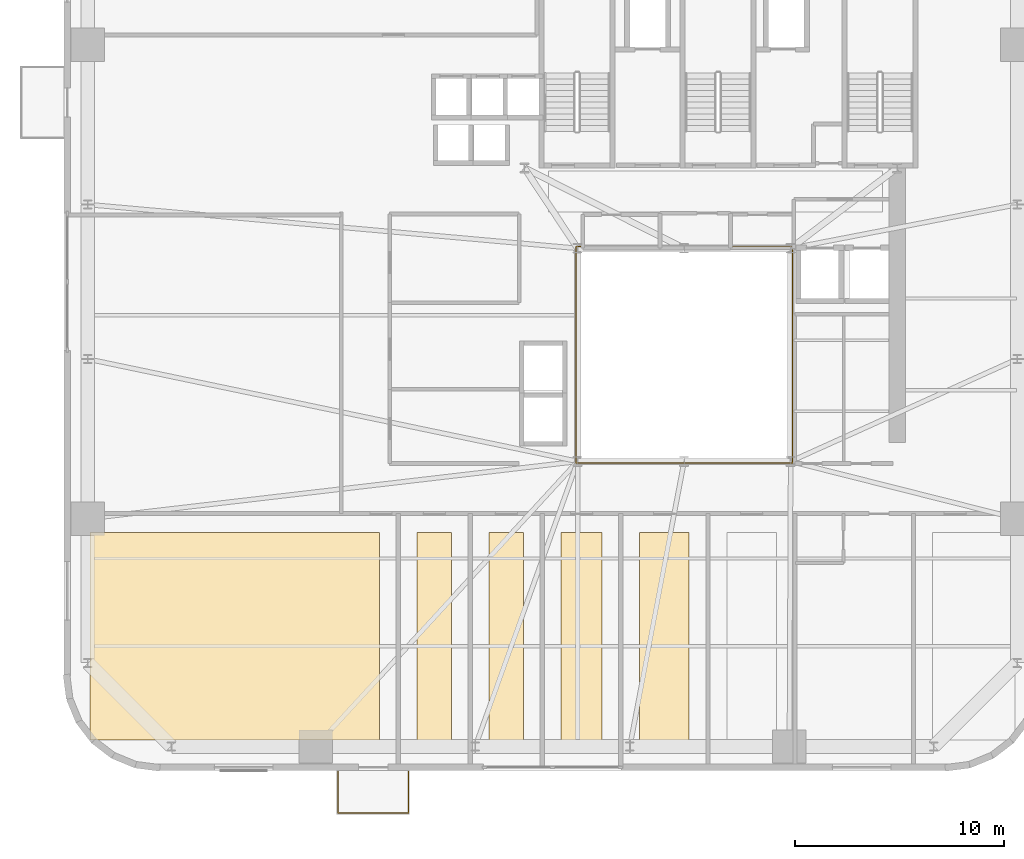
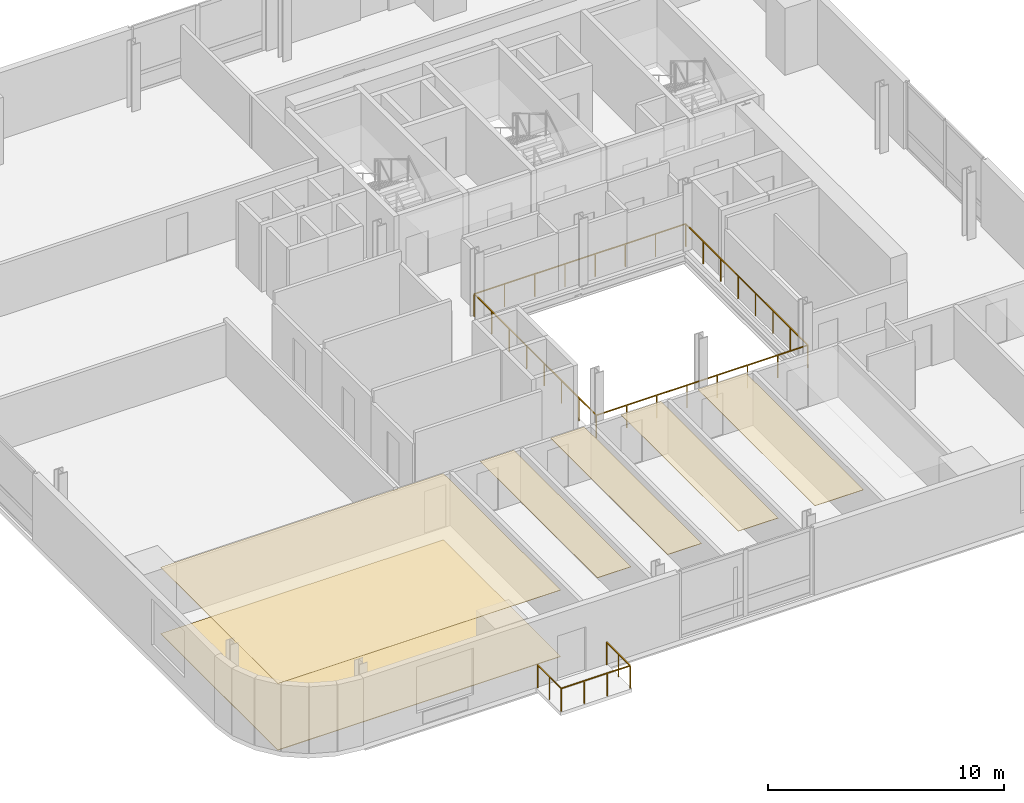
# One storey, part 10 of 14: 6 coverings, 2 railings.
"""IFC4 building model written with IfcOpenShell, lengths in metres."""

import ifcopenshell
import ifcopenshell.guid

model = None  # the IFC model being written
_history = None  # IfcOwnerHistory: only IFC2X3 demands one
_inside = {}  # id of a spatial element -> (the spatial element, [elements in it])
_under = {}  # id of a project, library or spatial element -> (it, [spatial elements below it])
_declared = {}  # id of a project -> (the project, [libraries it declares])
_typed = {}  # id of a type object -> (the type object, [elements of that type])
_made_of = {}  # id of a material, layer set ... -> (it, [elements and type objects made of it])


def new_model(schema):
    """Start an empty IFC model of exactly this schema.

    Asked for "IFC4X3", IfcOpenShell would pick the latest addendum, in which some entities
    have other attributes; the version numbers below select the first issue.
    IFC2X3 requires an IfcOwnerHistory on every rooted entity: one is made here for all.
    """
    global model, _history
    if schema == "IFC4X3":
        model = ifcopenshell.file(schema_version=(4, 3, 0, 0))
    else:
        model = ifcopenshell.file(schema=schema)
    _inside.clear()
    _under.clear()
    _declared.clear()
    _typed.clear()
    _made_of.clear()
    _history = None
    if model.schema == "IFC2X3":
        org = make("IfcOrganization", Name="unknown")
        user = make(
            "IfcPersonAndOrganization",
            ThePerson=make("IfcPerson", FamilyName="unknown"),
            TheOrganization=org,
        )
        app = make(
            "IfcApplication",
            ApplicationDeveloper=org,
            Version="unknown",
            ApplicationFullName="unknown",
            ApplicationIdentifier="unknown",
        )
        _history = make(
            "IfcOwnerHistory",
            OwningUser=user,
            OwningApplication=app,
            ChangeAction="ADDED",
            CreationDate=0,
        )
    return model


def make(cls, **values):
    """One entity of the class cls with the attributes given. An attribute that is None is left unset."""
    return model.create_entity(
        cls, **{name: value for name, value in values.items() if value is not None}
    )


def rooted(cls, **values):
    """An entity with a GlobalId (a new one), such as an element, a storey or a relation."""
    return make(cls, GlobalId=ifcopenshell.guid.new(), OwnerHistory=_history, **values)


def si_unit(unit_type, name, prefix=None):
    """IfcSIUnit, for example si_unit("LENGTHUNIT", "METRE", prefix="MILLI")."""
    return make("IfcSIUnit", UnitType=unit_type, Prefix=prefix, Name=name)


def assignment(units):
    """IfcUnitAssignment: the units of a project."""
    return None if units is None else make("IfcUnitAssignment", Units=units)


def point(xyz):
    """IfcCartesianPoint."""
    return None if xyz is None else make("IfcCartesianPoint", Coordinates=xyz)


def direction(xyz):
    """IfcDirection."""
    return None if xyz is None else make("IfcDirection", DirectionRatios=xyz)


def frame(location, z_axis=None, x_axis=None):
    """IfcAxis2Placement3D, a coordinate frame: its origin and axes. An axis left out is left unset."""
    return make(
        "IfcAxis2Placement3D",
        Location=point(location),
        Axis=direction(z_axis),
        RefDirection=direction(x_axis),
    )


def frame_2d(location, x_axis=None):
    """IfcAxis2Placement2D, a coordinate frame in the plane: its origin and x axis."""
    return make(
        "IfcAxis2Placement2D", Location=point(location), RefDirection=direction(x_axis)
    )


def origin():
    """The frame at (0, 0, 0) with its axes left unset."""
    return frame((0.0, 0.0, 0.0))


def origin_2d():
    """The frame at (0, 0) in the plane with its x axis left unset."""
    return frame_2d((0.0, 0.0))


def place(relative_to, where):
    """IfcLocalPlacement: puts the frame where relative to a parent placement (None: the world)."""
    return make(
        "IfcLocalPlacement", PlacementRelTo=relative_to, RelativePlacement=where
    )


def context(
    kind, dimensions, precision=None, world=None, true_north=None, identifier=None
):
    """IfcGeometricRepresentationContext, for example the 3D "Model" context."""
    return make(
        "IfcGeometricRepresentationContext",
        ContextIdentifier=identifier,
        ContextType=kind,
        CoordinateSpaceDimension=dimensions,
        Precision=precision,
        WorldCoordinateSystem=world,
        TrueNorth=true_north,
    )


def subcontext(parent, identifier, kind, view, scale=None):
    """IfcGeometricRepresentationSubContext, for example "Body" below "Model"."""
    return make(
        "IfcGeometricRepresentationSubContext",
        ContextIdentifier=identifier,
        ContextType=kind,
        ParentContext=parent,
        TargetScale=scale,
        TargetView=view,
    )


def project(units=None, contexts=None):
    """IfcProject with its units and contexts."""
    return rooted(
        "IfcProject",
        Name="project",
        RepresentationContexts=contexts,
        UnitsInContext=assignment(units),
    )


def spatial(cls, under=None, at=None, **own):
    """A site, building, storey or space (cls), placed at a placement, below another one or the project."""
    s = rooted(cls, ObjectPlacement=at, **own)
    if under is not None:
        _under.setdefault(under.id(), (under, []))[1].append(s)
    return s


def polyline(points):
    """IfcPolyline through the points."""
    return make("IfcPolyline", Points=[point(p) for p in points])


def profile(cls, at=None, kind="AREA", **sizes):
    """A parametric profile (cls). Its sizes go by their IFC names, for example OverallWidth=200.0."""
    return make(cls, ProfileType=kind, Position=at, **sizes)


def rectangle(**sizes):
    """IfcRectangleProfileDef."""
    return profile("IfcRectangleProfileDef", **sizes)


def outline(outer, holes=None, kind="AREA"):
    """IfcArbitraryClosedProfileDef: a profile drawn as a closed curve; with holes, ...WithVoids."""
    if holes is None:
        return make("IfcArbitraryClosedProfileDef", ProfileType=kind, OuterCurve=outer)
    return make(
        "IfcArbitraryProfileDefWithVoids",
        ProfileType=kind,
        OuterCurve=outer,
        InnerCurves=holes,
    )


def extrude(swept, where, along, depth):
    """IfcExtrudedAreaSolid: the profile swept, set in the frame where, extruded along a direction by depth."""
    return make(
        "IfcExtrudedAreaSolid",
        SweptArea=swept,
        Position=where,
        ExtrudedDirection=direction(along),
        Depth=depth,
    )


def shape(context_of_items, identifier, shape_type, items):
    """IfcShapeRepresentation: the items that make up one representation, for example the "Body"."""
    return make(
        "IfcShapeRepresentation",
        ContextOfItems=context_of_items,
        RepresentationIdentifier=identifier,
        RepresentationType=shape_type,
        Items=items,
    )


def source(mapping_origin, context_of_items, identifier, shape_type, items):
    """IfcRepresentationMap: a shape defined once, which mapped items show again and again."""
    return make(
        "IfcRepresentationMap",
        MappingOrigin=mapping_origin,
        MappedRepresentation=shape(context_of_items, identifier, shape_type, items),
    )


def transform(
    local_origin,
    x_axis=None,
    y_axis=None,
    z_axis=None,
    scale=None,
    scale2=None,
    scale3=None,
    uniform=True,
):
    """IfcCartesianTransformationOperator3D, or its non-uniform kind. x_axis, y_axis, z_axis: its Axis1, 2, 3."""
    if uniform:
        return make(
            "IfcCartesianTransformationOperator3D",
            Axis1=direction(x_axis),
            Axis2=direction(y_axis),
            LocalOrigin=point(local_origin),
            Scale=scale,
            Axis3=direction(z_axis),
        )
    return make(
        "IfcCartesianTransformationOperator3DnonUniform",
        Axis1=direction(x_axis),
        Axis2=direction(y_axis),
        LocalOrigin=point(local_origin),
        Scale=scale,
        Axis3=direction(z_axis),
        Scale2=scale2,
        Scale3=scale3,
    )


def mapped(mapping_source, mapping_target):
    """IfcMappedItem: shows the shape of a source again, moved by a transform."""
    return make(
        "IfcMappedItem", MappingSource=mapping_source, MappingTarget=mapping_target
    )


def material(Name=None, Category=None):
    """IfcMaterial."""
    return make("IfcMaterial", Name=Name, Category=Category)


def layer(
    of_material, thickness, ventilated=None, Name=None, Category=None, Priority=None
):
    """IfcMaterialLayer: one layer of a wall or slab, of a material (None: an air gap)."""
    return make(
        "IfcMaterialLayer",
        Material=of_material,
        LayerThickness=thickness,
        IsVentilated=ventilated,
        Name=Name,
        Category=Category,
        Priority=Priority,
    )


def layer_set(layers, Name=None):
    """IfcMaterialLayerSet."""
    return make("IfcMaterialLayerSet", MaterialLayers=layers, LayerSetName=Name)


def made_of(thing, what):
    """Note that an element or type object is made of a material, layer set ...; save() writes the relation."""
    if what is not None:
        _made_of.setdefault(what.id(), (what, []))[1].append(thing)
    return thing


def type_object(cls, material=None, **own):
    """A type object (cls), such as IfcWallType, which elements share."""
    return made_of(rooted(cls, **own), material)


def element(
    cls,
    number,
    at=None,
    inside=None,
    cuts=None,
    type_object=None,
    material=None,
    context=None,
    identifier="Body",
    shape_type=None,
    held_by="IfcProductDefinitionShape",
    body=None,
    shapes=None,
    **own,
):
    """One element of the class cls, such as IfcWall. Its Tag is "e" and its number.

    at: its placement. inside: the storey or other place that contains it. cuts: it is an
    opening in that element (IfcRelVoidsElement). A single representation is given by context,
    identifier, shape_type and body (its items); several are given by shapes. held_by: the class
    of the entity that holds the representations. save() writes the other relations.
    """
    e = rooted(cls, Tag="e%d" % number, ObjectPlacement=at, **own)
    if body is not None:
        shapes = [shape(context, identifier, shape_type, body)]
    if shapes is not None:
        e.Representation = make(held_by, Representations=shapes)
    if inside is not None:
        _inside.setdefault(inside.id(), (inside, []))[1].append(e)
    if cuts is not None:
        rooted(
            "IfcRelVoidsElement", RelatingBuildingElement=cuts, RelatedOpeningElement=e
        )
    if type_object is not None:
        _typed.setdefault(type_object.id(), (type_object, []))[1].append(e)
    return made_of(e, material)


def aggregate(whole, parts):
    """IfcRelAggregates: a whole, such as a stair, and the parts it consists of."""
    return rooted("IfcRelAggregates", RelatingObject=whole, RelatedObjects=parts)


def save(model, path):
    """Write the relations noted so far, then the file.

    IfcRelAggregates (storeys below a building ...), IfcRelContainedInSpatialStructure (elements
    in a storey), IfcRelDefinesByType, IfcRelAssociatesMaterial and IfcRelDeclares: one each for
    every whole, place, type object, material and project.
    """
    for whole, parts in _under.values():
        aggregate(whole, parts)
    for where, things in _inside.values():
        rooted(
            "IfcRelContainedInSpatialStructure",
            RelatedElements=things,
            RelatingStructure=where,
        )
    for kind, things in _typed.values():
        rooted("IfcRelDefinesByType", RelatedObjects=things, RelatingType=kind)
    for what, things in _made_of.values():
        rooted("IfcRelAssociatesMaterial", RelatedObjects=things, RelatingMaterial=what)
    for by, libraries in _declared.values():
        rooted("IfcRelDeclares", RelatingContext=by, RelatedDefinitions=libraries)
    model.write(path)


model = new_model("IFC4")

# Units and contexts
model_context = context("Model", 3, precision=1e-05, world=origin(), true_north=direction((0.0, 1.0)))
body_context = subcontext(model_context, "Body", "Model", "MODEL_VIEW")
ifc_project = project(units=[si_unit("LENGTHUNIT", "METRE"), si_unit("AREAUNIT", "SQUARE_METRE"), si_unit("VOLUMEUNIT", "CUBIC_METRE"), si_unit("PLANEANGLEUNIT", "RADIAN"), si_unit("MASSUNIT", "GRAM", prefix="KILO")], contexts=[model_context])

# Site, building, storey
site_placement = place(None, origin())
site = spatial("IfcSite", under=ifc_project, at=site_placement, CompositionType="ELEMENT")
building_placement = place(site_placement, origin())
building = spatial("IfcBuilding", under=site, at=building_placement, Name="Vardaveli Station Tower", CompositionType="ELEMENT")
storey_placement = place(building_placement, frame((0.0, 0.0, 126.10009765625)))
storey = spatial("IfcBuildingStorey", under=building, at=storey_placement, Name="L32", CompositionType="ELEMENT", Elevation=126.10009765625)

# Coverings
ifc_material_1 = material(Name="Perforated acoustic mineral ceiling")
ifc_layer_1 = layer(ifc_material_1, 0.02001953125, Name="Perforated acoustic mineral ceiling")
ifc_layer_set_1 = layer_set([ifc_layer_1], Name="Perforated acoustic mineral ceiling")
covering_type_1 = type_object("IfcCoveringType", Name="COV-CEIL-AC20", PredefinedType="CEILING", material=ifc_layer_set_1)
covering_1_placement = place(storey_placement, frame((0.0, 0.0, 3.44482421875)))
element("IfcCovering", 1, at=covering_1_placement, inside=storey, type_object=covering_type_1, Name="CEIL-L32-1", PredefinedType="CEILING", context=body_context, shape_type="SweptSolid", body=[
    extrude(outline(polyline([(7.85009765625, 3.25), (21.71044921875, 3.25), (21.71044921875, 13.199951171875), (7.85009765625, 13.199951171875), (7.85009765625, 3.25)])), origin(), (0.0, 0.0, 1.0), 0.02001953125),
])
covering_2_placement = place(storey_placement, frame((0.0, 0.0, 3.44482421875)))
element("IfcCovering", 2, at=covering_2_placement, inside=storey, type_object=covering_type_1, Name="CEIL-L32-2", PredefinedType="CEILING", context=body_context, shape_type="SweptSolid", body=[
    extrude(outline(polyline([(23.510498046875, 3.25), (25.160400390625, 3.25), (25.160400390625, 13.199951171875), (23.510498046875, 13.199951171875), (23.510498046875, 3.25)])), origin(), (0.0, 0.0, 1.0), 0.02001953125),
])
covering_3_placement = place(storey_placement, frame((0.0, 0.0, 3.44482421875)))
element("IfcCovering", 3, at=covering_3_placement, inside=storey, type_object=covering_type_1, Name="CEIL-L32-3", PredefinedType="CEILING", context=body_context, shape_type="SweptSolid", body=[
    extrude(outline(polyline([(26.96044921875, 3.25), (28.6103515625, 3.25), (28.6103515625, 13.199951171875), (26.96044921875, 13.199951171875), (26.96044921875, 3.25)])), origin(), (0.0, 0.0, 1.0), 0.02001953125),
])
covering_4_placement = place(storey_placement, frame((0.0, 0.0, 3.44482421875)))
element("IfcCovering", 4, at=covering_4_placement, inside=storey, type_object=covering_type_1, Name="CEIL-L32-4", PredefinedType="CEILING", context=body_context, shape_type="SweptSolid", body=[
    extrude(outline(polyline([(30.410400390625, 3.25), (32.36865234375, 3.25), (32.36865234375, 13.199951171875), (30.410400390625, 13.199951171875), (30.410400390625, 3.25)])), origin(), (0.0, 0.0, 1.0), 0.02001953125),
])
covering_5_placement = place(storey_placement, frame((0.0, 0.0, 3.44482421875)))
element("IfcCovering", 5, at=covering_5_placement, inside=storey, type_object=covering_type_1, Name="CEIL-L32-5", PredefinedType="CEILING", context=body_context, shape_type="SweptSolid", body=[
    extrude(outline(polyline([(34.168701171875, 3.25), (36.541748046875, 3.25), (36.541748046875, 13.199951171875), (34.168701171875, 13.199951171875), (34.168701171875, 3.25)])), origin(), (0.0, 0.0, 1.0), 0.02001953125),
])
ifc_material_2 = material(Name="Honed Caucasian basalt and travertine flooring", Category="masonry")
ifc_layer_2 = layer(ifc_material_2, 0.030029296875, Name="Honed Caucasian basalt and travertine flooring")
ifc_layer_set_2 = layer_set([ifc_layer_2], Name="Honed Caucasian basalt and travertine flooring")
covering_type_2 = type_object("IfcCoveringType", Name="COV-FLOOR-ST30", PredefinedType="FLOORING", material=ifc_layer_set_2)
covering_6_placement = place(storey_placement, origin())
element("IfcCovering", 6, at=covering_6_placement, inside=storey, type_object=covering_type_2, Name="FLR-L32-1", PredefinedType="FLOORING", context=body_context, shape_type="SweptSolid", body=[
    extrude(outline(polyline([(7.85009765625, 3.25), (21.71044921875, 3.25), (21.71044921875, 13.199951171875), (7.85009765625, 13.199951171875), (7.85009765625, 3.25)])), origin(), (0.0, 0.0, 1.0), 0.02978515625),
])

# Railings
ifc_material_3 = material(Name="Laminated glass and stainless steel balustrade", Category="steel")
railing_type = type_object("IfcRailingType", Name="RL-BAL-1200", PredefinedType="BALUSTRADE", material=ifc_material_3)
shared_shape_1 = source(origin(), body_context, "Body", "SweptSolid", [
    extrude(rectangle(XDim=0.048095703125, YDim=0.048095703125, at=origin_2d()), frame((0.0, 0.0, 1.17578125), z_axis=(0.0, -1.0, 0.0), x_axis=(1.0, 0.0, 0.0)), (0.0, 0.0, 1.0), 2.0),
    extrude(rectangle(XDim=0.048095703125, YDim=0.048095703125, at=origin_2d()), frame((0.0, -2.0, 1.17578125), z_axis=(1.0, 0.0, 0.0), x_axis=(0.0, 1.0, 0.0)), (0.0, 0.0, 1.0), 3.3798828125),
    extrude(rectangle(XDim=0.048095703125, YDim=0.048095703125, at=origin_2d()), frame((3.3798828125, -2.0, 1.17578125), z_axis=(0.0, 1.0, 0.0), x_axis=(-1.0, 0.0, 0.0)), (0.0, 0.0, 1.0), 2.0),
    extrude(rectangle(XDim=0.0419921875, YDim=0.0419921875, at=origin_2d()), origin(), (0.0, 0.0, 1.0), 1.15185546875),
    extrude(rectangle(XDim=0.0419921875, YDim=0.0419921875, at=origin_2d()), frame((0.0, -1.0, 0.0)), (0.0, 0.0, 1.0), 1.15185546875),
    extrude(rectangle(XDim=0.0419921875, YDim=0.0419921875, at=origin_2d()), frame((0.0, -2.0, 0.0)), (0.0, 0.0, 1.0), 1.15185546875),
    extrude(rectangle(XDim=0.0419921875, YDim=0.0419921875, at=origin_2d()), frame((1.126708984375, -2.0, 0.0)), (0.0, 0.0, 1.0), 1.15185546875),
    extrude(rectangle(XDim=0.0419921875, YDim=0.0419921875, at=origin_2d()), frame((2.253173828125, -2.0, 0.0)), (0.0, 0.0, 1.0), 1.15185546875),
    extrude(rectangle(XDim=0.0419921875, YDim=0.0419921875, at=origin_2d()), frame((3.3798828125, -2.0, 0.0)), (0.0, 0.0, 1.0), 1.15185546875),
    extrude(rectangle(XDim=0.0419921875, YDim=0.0419921875, at=origin_2d()), frame((3.3798828125, -1.0, 0.0)), (0.0, 0.0, 1.0), 1.15185546875),
    extrude(rectangle(XDim=0.0419921875, YDim=0.0419921875, at=origin_2d()), frame((3.3798828125, 0.0, 0.0)), (0.0, 0.0, 1.0), 1.15185546875),
])
railing_1_placement = place(storey_placement, frame((19.720458984375, 1.760009765625, 0.0)))
element("IfcRailing", 7, at=railing_1_placement, inside=storey, type_object=railing_type, Name="RL-LOG-L32-01", PredefinedType="BALUSTRADE", context=body_context, shape_type="MappedRepresentation", body=[
    mapped(shared_shape_1, transform((0.0, 0.0, 0.0), scale=1.0)),
])
shared_shape_2 = source(origin(), body_context, "Body", "SweptSolid", [
    extrude(rectangle(XDim=0.048095703125, YDim=0.048095703125, at=origin_2d()), frame((0.0, 0.0, 1.17578125), z_axis=(1.0, 0.0, 0.0), x_axis=(0.0, 1.0, 0.0)), (0.0, 0.0, 1.0), 10.35986328125),
    extrude(rectangle(XDim=0.048095703125, YDim=0.048095703125, at=origin_2d()), frame((10.35986328125, 0.0, 1.17578125), z_axis=(0.0, 1.0, 0.0), x_axis=(-1.0, 0.0, 0.0)), (0.0, 0.0, 1.0), 10.35986328125),
    extrude(rectangle(XDim=0.048095703125, YDim=0.048095703125, at=origin_2d()), frame((10.35986328125, 10.35986328125, 1.17578125), z_axis=(-1.0, 0.0, 0.0), x_axis=(0.0, -1.0, 0.0)), (0.0, 0.0, 1.0), 10.35986328125),
    extrude(rectangle(XDim=0.048095703125, YDim=0.048095703125, at=origin_2d()), frame((0.0, 10.35986328125, 1.17578125), z_axis=(0.0, -1.0, 0.0), x_axis=(1.0, 0.0, 0.0)), (0.0, 0.0, 1.0), 10.35986328125),
    extrude(rectangle(XDim=0.0419921875, YDim=0.0419921875, at=origin_2d()), origin(), (0.0, 0.0, 1.0), 1.15185546875),
    extrude(rectangle(XDim=0.0419921875, YDim=0.0419921875, at=origin_2d()), frame((1.47998046875, 0.0, 0.0)), (0.0, 0.0, 1.0), 1.15185546875),
    extrude(rectangle(XDim=0.0419921875, YDim=0.0419921875, at=origin_2d()), frame((2.9599609375, 0.0, 0.0)), (0.0, 0.0, 1.0), 1.15185546875),
    extrude(rectangle(XDim=0.0419921875, YDim=0.0419921875, at=origin_2d()), frame((4.43994140625, 0.0, 0.0)), (0.0, 0.0, 1.0), 1.15185546875),
    extrude(rectangle(XDim=0.0419921875, YDim=0.0419921875, at=origin_2d()), frame((5.919921875, 0.0, 0.0)), (0.0, 0.0, 1.0), 1.15185546875),
    extrude(rectangle(XDim=0.0419921875, YDim=0.0419921875, at=origin_2d()), frame((7.39990234375, 0.0, 0.0)), (0.0, 0.0, 1.0), 1.15185546875),
    extrude(rectangle(XDim=0.0419921875, YDim=0.0419921875, at=origin_2d()), frame((8.8798828125, 0.0, 0.0)), (0.0, 0.0, 1.0), 1.15185546875),
    extrude(rectangle(XDim=0.0419921875, YDim=0.0419921875, at=origin_2d()), frame((10.35986328125, 0.0, 0.0)), (0.0, 0.0, 1.0), 1.15185546875),
    extrude(rectangle(XDim=0.0419921875, YDim=0.0419921875, at=origin_2d()), frame((10.35986328125, 1.47998046875, 0.0)), (0.0, 0.0, 1.0), 1.15185546875),
    extrude(rectangle(XDim=0.0419921875, YDim=0.0419921875, at=origin_2d()), frame((10.35986328125, 2.9599609375, 0.0)), (0.0, 0.0, 1.0), 1.15185546875),
    extrude(rectangle(XDim=0.0419921875, YDim=0.0419921875, at=origin_2d()), frame((10.35986328125, 4.43994140625, 0.0)), (0.0, 0.0, 1.0), 1.15185546875),
    extrude(rectangle(XDim=0.0419921875, YDim=0.0419921875, at=origin_2d()), frame((10.35986328125, 5.919921875, 0.0)), (0.0, 0.0, 1.0), 1.15185546875),
    extrude(rectangle(XDim=0.0419921875, YDim=0.0419921875, at=origin_2d()), frame((10.35986328125, 7.39990234375, 0.0)), (0.0, 0.0, 1.0), 1.15185546875),
    extrude(rectangle(XDim=0.0419921875, YDim=0.0419921875, at=origin_2d()), frame((10.35986328125, 8.8798828125, 0.0)), (0.0, 0.0, 1.0), 1.15185546875),
    extrude(rectangle(XDim=0.0419921875, YDim=0.0419921875, at=origin_2d()), frame((10.35986328125, 10.35986328125, 0.0)), (0.0, 0.0, 1.0), 1.15185546875),
    extrude(rectangle(XDim=0.0419921875, YDim=0.0419921875, at=origin_2d()), frame((8.8798828125, 10.35986328125, 0.0)), (0.0, 0.0, 1.0), 1.15185546875),
    extrude(rectangle(XDim=0.0419921875, YDim=0.0419921875, at=origin_2d()), frame((7.39990234375, 10.35986328125, 0.0)), (0.0, 0.0, 1.0), 1.15185546875),
    extrude(rectangle(XDim=0.0419921875, YDim=0.0419921875, at=origin_2d()), frame((5.919921875, 10.35986328125, 0.0)), (0.0, 0.0, 1.0), 1.15185546875),
    extrude(rectangle(XDim=0.0419921875, YDim=0.0419921875, at=origin_2d()), frame((4.43994140625, 10.35986328125, 0.0)), (0.0, 0.0, 1.0), 1.15185546875),
    extrude(rectangle(XDim=0.0419921875, YDim=0.0419921875, at=origin_2d()), frame((2.9599609375, 10.35986328125, 0.0)), (0.0, 0.0, 1.0), 1.15185546875),
    extrude(rectangle(XDim=0.0419921875, YDim=0.0419921875, at=origin_2d()), frame((1.47998046875, 10.35986328125, 0.0)), (0.0, 0.0, 1.0), 1.15185546875),
    extrude(rectangle(XDim=0.0419921875, YDim=0.0419921875, at=origin_2d()), frame((0.0, 10.35986328125, 0.0)), (0.0, 0.0, 1.0), 1.15185546875),
    extrude(rectangle(XDim=0.0419921875, YDim=0.0419921875, at=origin_2d()), frame((0.0, 8.8798828125, 0.0)), (0.0, 0.0, 1.0), 1.15185546875),
    extrude(rectangle(XDim=0.0419921875, YDim=0.0419921875, at=origin_2d()), frame((0.0, 7.39990234375, 0.0)), (0.0, 0.0, 1.0), 1.15185546875),
    extrude(rectangle(XDim=0.0419921875, YDim=0.0419921875, at=origin_2d()), frame((0.0, 5.919921875, 0.0)), (0.0, 0.0, 1.0), 1.15185546875),
    extrude(rectangle(XDim=0.0419921875, YDim=0.0419921875, at=origin_2d()), frame((0.0, 4.43994140625, 0.0)), (0.0, 0.0, 1.0), 1.15185546875),
    extrude(rectangle(XDim=0.0419921875, YDim=0.0419921875, at=origin_2d()), frame((0.0, 2.9599609375, 0.0)), (0.0, 0.0, 1.0), 1.15185546875),
    extrude(rectangle(XDim=0.0419921875, YDim=0.0419921875, at=origin_2d()), frame((0.0, 1.47998046875, 0.0)), (0.0, 0.0, 1.0), 1.15185546875),
])
railing_2_placement = place(storey_placement, frame((31.1201171875, 16.52001953125, 0.0)))
element("IfcRailing", 8, at=railing_2_placement, inside=storey, type_object=railing_type, Name="RL-ATR-L32", PredefinedType="BALUSTRADE", context=body_context, shape_type="MappedRepresentation", body=[
    mapped(shared_shape_2, transform((0.0, 0.0, 0.0), scale=1.0)),
])

save(model, "model.ifc")
